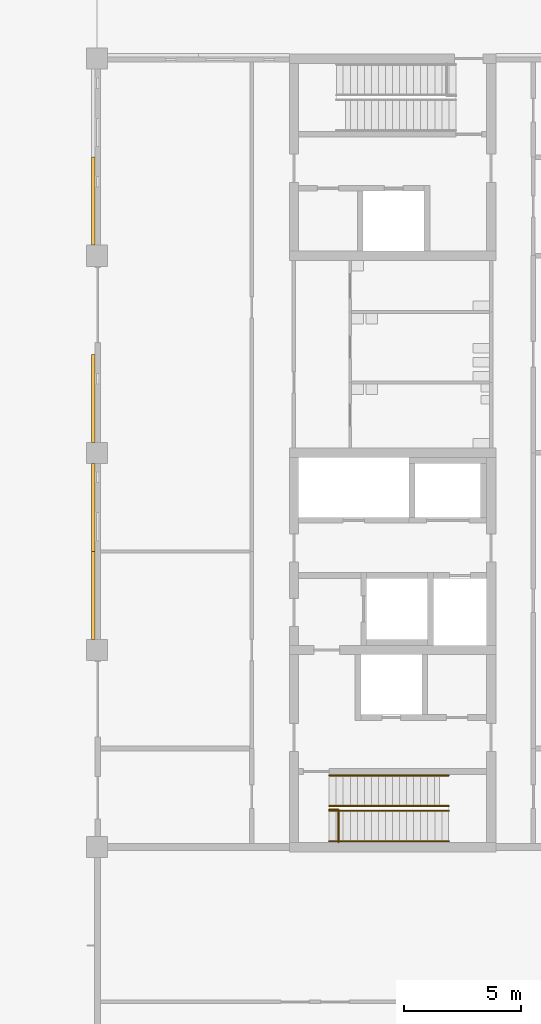
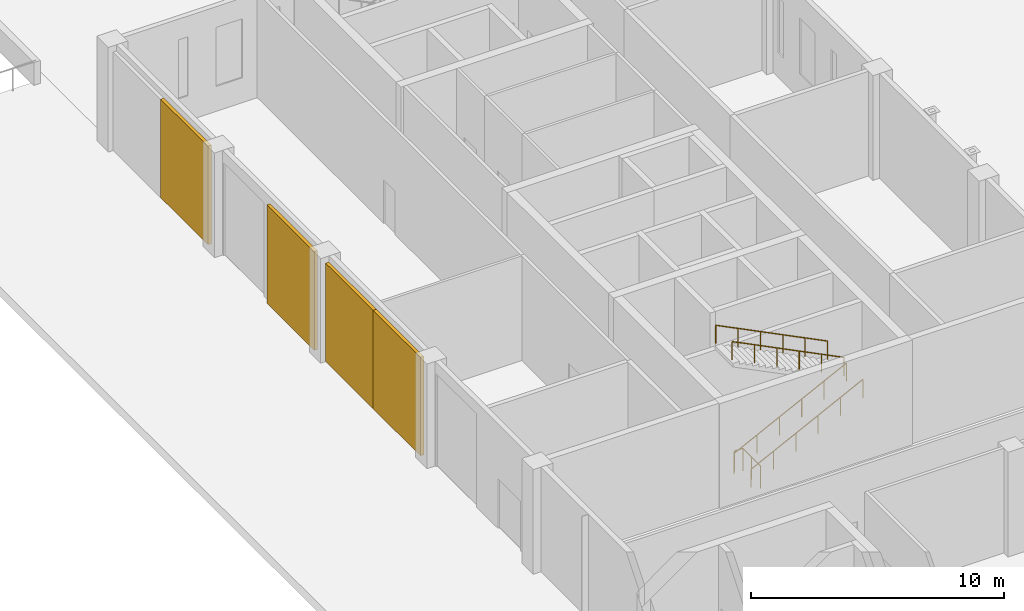
# One storey, part 60 of 76: 5 railings, 4 shading devices.
"""IFC4 building model written with IfcOpenShell, lengths in metres."""

import ifcopenshell
import ifcopenshell.guid

model = None  # the IFC model being written
_history = None  # IfcOwnerHistory: only IFC2X3 demands one
_inside = {}  # id of a spatial element -> (the spatial element, [elements in it])
_under = {}  # id of a project, library or spatial element -> (it, [spatial elements below it])
_declared = {}  # id of a project -> (the project, [libraries it declares])
_typed = {}  # id of a type object -> (the type object, [elements of that type])
_made_of = {}  # id of a material, layer set ... -> (it, [elements and type objects made of it])


def new_model(schema):
    """Start an empty IFC model of exactly this schema.

    Asked for "IFC4X3", IfcOpenShell would pick the latest addendum, in which some entities
    have other attributes; the version numbers below select the first issue.
    IFC2X3 requires an IfcOwnerHistory on every rooted entity: one is made here for all.
    """
    global model, _history
    if schema == "IFC4X3":
        model = ifcopenshell.file(schema_version=(4, 3, 0, 0))
    else:
        model = ifcopenshell.file(schema=schema)
    _inside.clear()
    _under.clear()
    _declared.clear()
    _typed.clear()
    _made_of.clear()
    _history = None
    if model.schema == "IFC2X3":
        org = make("IfcOrganization", Name="unknown")
        user = make(
            "IfcPersonAndOrganization",
            ThePerson=make("IfcPerson", FamilyName="unknown"),
            TheOrganization=org,
        )
        app = make(
            "IfcApplication",
            ApplicationDeveloper=org,
            Version="unknown",
            ApplicationFullName="unknown",
            ApplicationIdentifier="unknown",
        )
        _history = make(
            "IfcOwnerHistory",
            OwningUser=user,
            OwningApplication=app,
            ChangeAction="ADDED",
            CreationDate=0,
        )
    return model


def make(cls, **values):
    """One entity of the class cls with the attributes given. An attribute that is None is left unset."""
    return model.create_entity(
        cls, **{name: value for name, value in values.items() if value is not None}
    )


def rooted(cls, **values):
    """An entity with a GlobalId (a new one), such as an element, a storey or a relation."""
    return make(cls, GlobalId=ifcopenshell.guid.new(), OwnerHistory=_history, **values)


def si_unit(unit_type, name, prefix=None):
    """IfcSIUnit, for example si_unit("LENGTHUNIT", "METRE", prefix="MILLI")."""
    return make("IfcSIUnit", UnitType=unit_type, Prefix=prefix, Name=name)


def assignment(units):
    """IfcUnitAssignment: the units of a project."""
    return None if units is None else make("IfcUnitAssignment", Units=units)


def point(xyz):
    """IfcCartesianPoint."""
    return None if xyz is None else make("IfcCartesianPoint", Coordinates=xyz)


def direction(xyz):
    """IfcDirection."""
    return None if xyz is None else make("IfcDirection", DirectionRatios=xyz)


def frame(location, z_axis=None, x_axis=None):
    """IfcAxis2Placement3D, a coordinate frame: its origin and axes. An axis left out is left unset."""
    return make(
        "IfcAxis2Placement3D",
        Location=point(location),
        Axis=direction(z_axis),
        RefDirection=direction(x_axis),
    )


def frame_2d(location, x_axis=None):
    """IfcAxis2Placement2D, a coordinate frame in the plane: its origin and x axis."""
    return make(
        "IfcAxis2Placement2D", Location=point(location), RefDirection=direction(x_axis)
    )


def origin():
    """The frame at (0, 0, 0) with its axes left unset."""
    return frame((0.0, 0.0, 0.0))


def origin_2d():
    """The frame at (0, 0) in the plane with its x axis left unset."""
    return frame_2d((0.0, 0.0))


def place(relative_to, where):
    """IfcLocalPlacement: puts the frame where relative to a parent placement (None: the world)."""
    return make(
        "IfcLocalPlacement", PlacementRelTo=relative_to, RelativePlacement=where
    )


def context(
    kind, dimensions, precision=None, world=None, true_north=None, identifier=None
):
    """IfcGeometricRepresentationContext, for example the 3D "Model" context."""
    return make(
        "IfcGeometricRepresentationContext",
        ContextIdentifier=identifier,
        ContextType=kind,
        CoordinateSpaceDimension=dimensions,
        Precision=precision,
        WorldCoordinateSystem=world,
        TrueNorth=true_north,
    )


def subcontext(parent, identifier, kind, view, scale=None):
    """IfcGeometricRepresentationSubContext, for example "Body" below "Model"."""
    return make(
        "IfcGeometricRepresentationSubContext",
        ContextIdentifier=identifier,
        ContextType=kind,
        ParentContext=parent,
        TargetScale=scale,
        TargetView=view,
    )


def project(units=None, contexts=None):
    """IfcProject with its units and contexts."""
    return rooted(
        "IfcProject",
        Name="project",
        RepresentationContexts=contexts,
        UnitsInContext=assignment(units),
    )


def spatial(cls, under=None, at=None, **own):
    """A site, building, storey or space (cls), placed at a placement, below another one or the project."""
    s = rooted(cls, ObjectPlacement=at, **own)
    if under is not None:
        _under.setdefault(under.id(), (under, []))[1].append(s)
    return s


def profile(cls, at=None, kind="AREA", **sizes):
    """A parametric profile (cls). Its sizes go by their IFC names, for example OverallWidth=200.0."""
    return make(cls, ProfileType=kind, Position=at, **sizes)


def rectangle(**sizes):
    """IfcRectangleProfileDef."""
    return profile("IfcRectangleProfileDef", **sizes)


def circle(**sizes):
    """IfcCircleProfileDef."""
    return profile("IfcCircleProfileDef", **sizes)


def extrude(swept, where, along, depth):
    """IfcExtrudedAreaSolid: the profile swept, set in the frame where, extruded along a direction by depth."""
    return make(
        "IfcExtrudedAreaSolid",
        SweptArea=swept,
        Position=where,
        ExtrudedDirection=direction(along),
        Depth=depth,
    )


def shape(context_of_items, identifier, shape_type, items):
    """IfcShapeRepresentation: the items that make up one representation, for example the "Body"."""
    return make(
        "IfcShapeRepresentation",
        ContextOfItems=context_of_items,
        RepresentationIdentifier=identifier,
        RepresentationType=shape_type,
        Items=items,
    )


def material(Name=None, Category=None):
    """IfcMaterial."""
    return make("IfcMaterial", Name=Name, Category=Category)


def layer(
    of_material, thickness, ventilated=None, Name=None, Category=None, Priority=None
):
    """IfcMaterialLayer: one layer of a wall or slab, of a material (None: an air gap)."""
    return make(
        "IfcMaterialLayer",
        Material=of_material,
        LayerThickness=thickness,
        IsVentilated=ventilated,
        Name=Name,
        Category=Category,
        Priority=Priority,
    )


def layer_set(layers, Name=None):
    """IfcMaterialLayerSet."""
    return make("IfcMaterialLayerSet", MaterialLayers=layers, LayerSetName=Name)


def made_of(thing, what):
    """Note that an element or type object is made of a material, layer set ...; save() writes the relation."""
    if what is not None:
        _made_of.setdefault(what.id(), (what, []))[1].append(thing)
    return thing


def type_object(cls, material=None, **own):
    """A type object (cls), such as IfcWallType, which elements share."""
    return made_of(rooted(cls, **own), material)


def element(
    cls,
    number,
    at=None,
    inside=None,
    cuts=None,
    type_object=None,
    material=None,
    context=None,
    identifier="Body",
    shape_type=None,
    held_by="IfcProductDefinitionShape",
    body=None,
    shapes=None,
    **own,
):
    """One element of the class cls, such as IfcWall. Its Tag is "e" and its number.

    at: its placement. inside: the storey or other place that contains it. cuts: it is an
    opening in that element (IfcRelVoidsElement). A single representation is given by context,
    identifier, shape_type and body (its items); several are given by shapes. held_by: the class
    of the entity that holds the representations. save() writes the other relations.
    """
    e = rooted(cls, Tag="e%d" % number, ObjectPlacement=at, **own)
    if body is not None:
        shapes = [shape(context, identifier, shape_type, body)]
    if shapes is not None:
        e.Representation = make(held_by, Representations=shapes)
    if inside is not None:
        _inside.setdefault(inside.id(), (inside, []))[1].append(e)
    if cuts is not None:
        rooted(
            "IfcRelVoidsElement", RelatingBuildingElement=cuts, RelatedOpeningElement=e
        )
    if type_object is not None:
        _typed.setdefault(type_object.id(), (type_object, []))[1].append(e)
    return made_of(e, material)


def aggregate(whole, parts):
    """IfcRelAggregates: a whole, such as a stair, and the parts it consists of."""
    return rooted("IfcRelAggregates", RelatingObject=whole, RelatedObjects=parts)


def save(model, path):
    """Write the relations noted so far, then the file.

    IfcRelAggregates (storeys below a building ...), IfcRelContainedInSpatialStructure (elements
    in a storey), IfcRelDefinesByType, IfcRelAssociatesMaterial and IfcRelDeclares: one each for
    every whole, place, type object, material and project.
    """
    for whole, parts in _under.values():
        aggregate(whole, parts)
    for where, things in _inside.values():
        rooted(
            "IfcRelContainedInSpatialStructure",
            RelatedElements=things,
            RelatingStructure=where,
        )
    for kind, things in _typed.values():
        rooted("IfcRelDefinesByType", RelatedObjects=things, RelatingType=kind)
    for what, things in _made_of.values():
        rooted("IfcRelAssociatesMaterial", RelatedObjects=things, RelatingMaterial=what)
    for by, libraries in _declared.values():
        rooted("IfcRelDeclares", RelatingContext=by, RelatedDefinitions=libraries)
    model.write(path)


model = new_model("IFC4")

# Units and contexts
model_context = context("Model", 3, precision=1e-05, world=origin(), true_north=direction((0.0, 1.0)))
body_context = subcontext(model_context, "Body", "Model", "MODEL_VIEW")
ifc_project = project(units=[si_unit("LENGTHUNIT", "METRE"), si_unit("AREAUNIT", "SQUARE_METRE"), si_unit("VOLUMEUNIT", "CUBIC_METRE"), si_unit("PLANEANGLEUNIT", "RADIAN"), si_unit("MASSUNIT", "GRAM", prefix="KILO")], contexts=[model_context])

# Site, building, storey
site_placement = place(None, origin())
site = spatial("IfcSite", under=ifc_project, at=site_placement, CompositionType="ELEMENT")
building_placement = place(site_placement, origin())
building = spatial("IfcBuilding", under=site, at=building_placement, Name="Hlaing Beacon Police Headquarters", CompositionType="ELEMENT")
storey_placement = place(building_placement, origin())
storey = spatial("IfcBuildingStorey", under=building, at=storey_placement, Name="L00", CompositionType="ELEMENT", Elevation=0.0)

# Shading devices
ifc_material_1 = material(Name="Perforated aluminium", Category="aluminium")
ifc_layer = layer(ifc_material_1, 0.14990234375)
ifc_layer_set = layer_set([ifc_layer], Name="Perforated aluminium")
shading_device_type = type_object("IfcShadingDeviceType", Name="Perforated screen panel 150", PredefinedType="JALOUSIE", material=ifc_layer_set)
for number, where, z_axis, x_axis, name in (
    (1, (8.25, 61.125, 0.0), (0.0, 0.0, 1.0), (0.0, -1.0, 0.0), "Screen L00 W013"),
    (2, (8.25, 52.72509765625, 0.0), (0.0, 0.0, 1.0), (0.0, -1.0, 0.0), "Screen L00 W014"),
    (3, (8.25, 48.074951171875, 0.0), (0.0, 0.0, 1.0), (0.0, -1.0, 0.0), "Screen L00 W015"),
    (4, (8.25, 44.324951171875, 0.0), (0.0, 0.0, 1.0), (0.0, -1.0, 0.0), "Screen L00 W016"),
):
    element("IfcShadingDevice", number, at=place(storey_placement, frame(where, z_axis=z_axis, x_axis=x_axis)), inside=storey, type_object=shading_device_type, Name=name, PredefinedType="JALOUSIE", context=body_context, shape_type="SweptSolid", body=[
        extrude(rectangle(XDim=3.75, YDim=0.14990234375, at=origin_2d()), origin(), (0.0, 0.0, 1.0), 4.75),
    ])

# Railings
ifc_material_2 = material(Name="Stainless steel", Category="steel")
railing_type_1 = type_object("IfcRailingType", Name="Stair guard 1100", PredefinedType="GUARDRAIL", material=ifc_material_2)
railing_placement = place(storey_placement, frame((18.699951171875, 33.800048828125, 0.0)))
element("IfcRailing", 5, at=railing_placement, inside=storey, type_object=railing_type_1, Name="Guard ST-N", PredefinedType="GUARDRAIL", context=body_context, shape_type="SweptSolid", body=[
    extrude(circle(Radius=0.02392578125, at=origin_2d()), frame((0.0, 0.0, 1.076171875), z_axis=(0.0, 1.0, 0.0), x_axis=(-1.0, 0.0, 0.0)), (0.0, 0.0, 1.0), 1.39990234375),
    extrude(circle(Radius=0.02392578125, at=origin_2d()), frame((0.0, 1.39990234375, 1.076171875), z_axis=(-1.0, 0.0, 0.0), x_axis=(0.0, -1.0, 0.0)), (0.0, 0.0, 1.0), 0.39990234375),
    extrude(circle(Radius=0.02099609375, at=origin_2d()), origin(), (0.0, 0.0, 1.0), 1.052001953125),
    extrude(circle(Radius=0.02099609375, at=origin_2d()), frame((0.0, 0.699951171875, 0.0)), (0.0, 0.0, 1.0), 1.052001953125),
    extrude(circle(Radius=0.02099609375, at=origin_2d()), frame((0.0, 1.39990234375, 0.0)), (0.0, 0.0, 1.0), 1.052001953125),
    extrude(circle(Radius=0.02099609375, at=origin_2d()), frame((-0.39990234375, 1.39990234375, 0.0)), (0.0, 0.0, 1.0), 1.052001953125),
])
ifc_material_3 = material(Name="Stainless steel", Category="steel")
railing_type_2 = type_object("IfcRailingType", Name="Stair handrail 900", PredefinedType="HANDRAIL", material=ifc_material_3)
for number, where, name in (
    (6, (18.300048828125, 33.85009765625, 0.14990234375), "Handrail ST-N"),
    (7, (18.300048828125, 35.14990234375, 0.14990234375), "Handrail ST-N"),
):
    element("IfcRailing", number, at=place(storey_placement, frame(where)), inside=storey, type_object=railing_type_2, Name=name, PredefinedType="HANDRAIL", context=body_context, shape_type="SweptSolid", body=[
        extrude(circle(Radius=0.02392578125, at=origin_2d()), frame((0.0, 0.0, 0.8759765625), z_axis=(0.894418627299, 0.0, 0.447230722492), x_axis=(0.0, 1.0, 0.0)), (0.0, 0.0, 1.0), 5.701904296875),
        extrude(circle(Radius=0.02099609375, at=origin_2d()), origin(), (0.0, 0.0, 1.0), 0.851806640625),
        extrude(circle(Radius=0.02099609375, at=origin_2d()), frame((1.02001953125, 0.0, 0.510009765625)), (0.0, 0.0, 1.0), 0.851806640625),
        extrude(circle(Radius=0.02099609375, at=origin_2d()), frame((2.0400390625, 0.0, 1.02001953125)), (0.0, 0.0, 1.0), 0.851806640625),
        extrude(circle(Radius=0.02099609375, at=origin_2d()), frame((3.059814453125, 0.0, 1.530029296875)), (0.0, 0.0, 1.0), 0.851806640625),
        extrude(circle(Radius=0.02099609375, at=origin_2d()), frame((4.079833984375, 0.0, 2.0400390625)), (0.0, 0.0, 1.0), 0.851806640625),
        extrude(circle(Radius=0.02099609375, at=origin_2d()), frame((5.099853515625, 0.0, 2.550048828125)), (0.0, 0.0, 1.0), 0.851806640625),
    ])
for number, where, name in (
    (8, (23.39990234375, 35.35009765625, 2.85009765625), "Handrail ST-N"),
    (9, (23.39990234375, 36.64990234375, 2.85009765625), "Handrail ST-N"),
):
    element("IfcRailing", number, at=place(storey_placement, frame(where)), inside=storey, type_object=railing_type_2, Name=name, PredefinedType="HANDRAIL", context=body_context, shape_type="SweptSolid", body=[
        extrude(circle(Radius=0.02392578125, at=origin_2d()), frame((0.0, 0.0, 0.8759765625), z_axis=(-0.894435754537, 0.0, 0.447196468016), x_axis=(0.0, -1.0, 0.0)), (0.0, 0.0, 1.0), 5.70166015625),
        extrude(circle(Radius=0.02099609375, at=origin_2d()), origin(), (0.0, 0.0, 1.0), 0.851806640625),
        extrude(circle(Radius=0.02099609375, at=origin_2d()), frame((-1.02001953125, 0.0, 0.510009765625)), (0.0, 0.0, 1.0), 0.851806640625),
        extrude(circle(Radius=0.02099609375, at=origin_2d()), frame((-2.0400390625, 0.0, 1.02001953125)), (0.0, 0.0, 1.0), 0.851806640625),
        extrude(circle(Radius=0.02099609375, at=origin_2d()), frame((-3.059814453125, 0.0, 1.52978515625)), (0.0, 0.0, 1.0), 0.851806640625),
        extrude(circle(Radius=0.02099609375, at=origin_2d()), frame((-4.079833984375, 0.0, 2.039794921875)), (0.0, 0.0, 1.0), 0.851806640625),
        extrude(circle(Radius=0.02099609375, at=origin_2d()), frame((-5.099853515625, 0.0, 2.5498046875)), (0.0, 0.0, 1.0), 0.851806640625),
    ])

save(model, "model.ifc")
